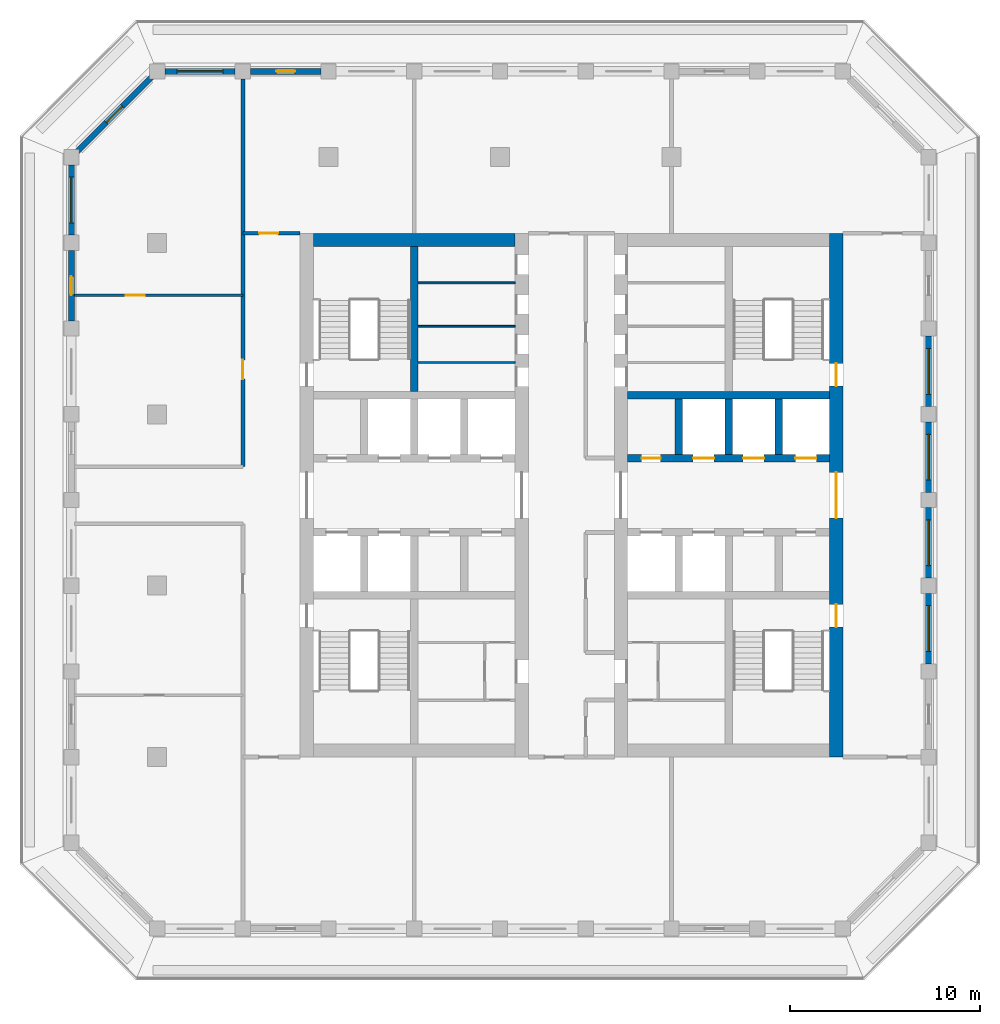
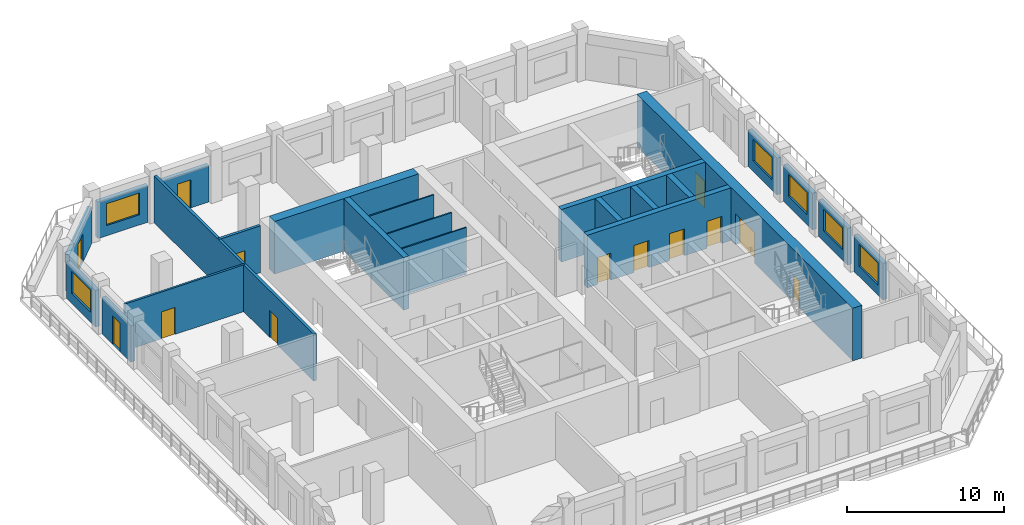
# One storey, part 5 of 14: 23 walls, 13 doors, 6 windows, 19 openings.
"""IFC4 building model written with IfcOpenShell, lengths in metres."""

from ifc_helpers import new_model, si_unit, direction, frame, frame_2d, origin, place, context, subcontext, project, spatial, rectangle, extrude, material, layer, layer_set, type_object, element, fill, save


model = new_model("IFC4")

# Units and contexts
model_context = context("Model", 3, precision=1e-05, world=origin(), true_north=direction((0.0, 1.0)))
body_context = subcontext(model_context, "Body", "Model", "MODEL_VIEW")
ifc_project = project(units=[si_unit("LENGTHUNIT", "METRE"), si_unit("AREAUNIT", "SQUARE_METRE"), si_unit("VOLUMEUNIT", "CUBIC_METRE"), si_unit("PLANEANGLEUNIT", "RADIAN"), si_unit("MASSUNIT", "GRAM", prefix="KILO")], contexts=[model_context])

# Site, building, storey
site_placement = place(None, origin())
site = spatial("IfcSite", under=ifc_project, at=site_placement, CompositionType="ELEMENT")
building_placement = place(site_placement, origin())
building = spatial("IfcBuilding", under=site, at=building_placement, Name="Corbel Stack Research Tower", CompositionType="ELEMENT")
storey_placement = place(building_placement, frame((0.0, 0.0, 278.60009765625)))
storey = spatial("IfcBuildingStorey", under=building, at=storey_placement, Name="L63", CompositionType="ELEMENT", Elevation=278.60009765625)

# Wall
ifc_material_1 = material(Name="Concrete C60/75", Category="concrete")
ifc_layer_1 = layer(ifc_material_1, 0.39990234375)
ifc_layer_set_1 = layer_set([ifc_layer_1], Name="Concrete C60/75")
wall_type_1 = type_object("IfcWallType", Name="CW-400-60", PredefinedType="SHEAR", material=ifc_layer_set_1)
wall_1_placement = place(storey_placement, frame((-4.5, 10.199951171875, 0.0), z_axis=(0.0, 0.0, 1.0), x_axis=(0.0, 1.0, 0.0)))
element("IfcWall", 1, at=wall_1_placement, inside=storey, type_object=wall_type_1, Name="West core wall, north stair and riser L63", PredefinedType="SHEAR", context=body_context, shape_type="SweptSolid", body=[
    extrude(rectangle(XDim=7.60009765625, YDim=0.39990234375, at=frame_2d((3.800048828125, 0.0))), origin(), (0.0, 0.0, 1.0), 4.099853515625),
])

# Wall, openings, doors
wall_2_placement = place(storey_placement, frame((6.699951171875, 6.699951171875, 0.0), z_axis=(0.0, 0.0, 1.0), x_axis=(1.0, 0.0, 0.0)))
wall_2 = element("IfcWall", 2, at=wall_2_placement, inside=storey, type_object=wall_type_1, Name="East core wall, lobby north L63", PredefinedType="SHEAR", context=body_context, shape_type="SweptSolid", body=[
    extrude(rectangle(XDim=10.60009765625, YDim=0.39990234375, at=frame_2d((5.300048828125, 0.0))), origin(), (0.0, 0.0, 1.0), 4.099853515625),
])
opening_1_placement = place(wall_2_placement, frame((3.4375, 0.0, 0.0)))
opening_1 = element("IfcOpeningElement", 3, at=opening_1_placement, cuts=wall_2, Name="Opening LD-HR4", PredefinedType="OPENING", context=body_context, shape_type="SweptSolid", body=[
    extrude(rectangle(XDim=1.10009765625, YDim=2.10009765625, at=frame_2d((0.550048828125, 1.050048828125))), frame((0.0, 0.2099609375, 0.0), z_axis=(0.0, -1.0, 0.0), x_axis=(1.0, 0.0, 0.0)), (0.0, 0.0, 1.0), 0.419921875),
])
opening_2_placement = place(wall_2_placement, frame((6.0625, 0.0, 0.0)))
opening_2 = element("IfcOpeningElement", 4, at=opening_2_placement, cuts=wall_2, Name="Opening LD-HR5", PredefinedType="OPENING", context=body_context, shape_type="SweptSolid", body=[
    extrude(rectangle(XDim=1.10009765625, YDim=2.10009765625, at=frame_2d((0.550048828125, 1.050048828125))), frame((0.0, 0.2099609375, 0.0), z_axis=(0.0, -1.0, 0.0), x_axis=(1.0, 0.0, 0.0)), (0.0, 0.0, 1.0), 0.419921875),
])
opening_3_placement = place(wall_2_placement, frame((8.8125, 0.0, 0.0)))
opening_3 = element("IfcOpeningElement", 5, at=opening_3_placement, cuts=wall_2, Name="Opening LD-HR6", PredefinedType="OPENING", context=body_context, shape_type="SweptSolid", body=[
    extrude(rectangle(XDim=1.10009765625, YDim=2.10009765625, at=frame_2d((0.550048828125, 1.050048828125))), frame((0.0, 0.2099609375, 0.0), z_axis=(0.0, -1.0, 0.0), x_axis=(1.0, 0.0, 0.0)), (0.0, 0.0, 1.0), 0.419921875),
])
opening_4_placement = place(wall_2_placement, frame((0.737548828125, 0.0, 0.0)))
opening_4 = element("IfcOpeningElement", 6, at=opening_4_placement, cuts=wall_2, Name="Opening CR-E36-N1", PredefinedType="OPENING", context=body_context, shape_type="SweptSolid", body=[
    extrude(rectangle(XDim=1.0, YDim=2.10009765625, at=frame_2d((0.5, 1.050048828125))), frame((0.0, 0.2099609375, 0.0), z_axis=(0.0, -1.0, 0.0), x_axis=(1.0, 0.0, 0.0)), (0.0, 0.0, 1.0), 0.419921875),
])
ifc_material_2 = material(Name="Stainless steel landing door", Category="steel")
door_type_1 = type_object("IfcDoorType", Name="Lift landing door 1100 x 2100", OperationType="DOUBLE_DOOR_SLIDING", PredefinedType="DOOR", material=ifc_material_2)
door_1_placement = place(opening_1_placement, origin())
door_1 = element("IfcDoor", 7, at=door_1_placement, inside=storey, type_object=door_type_1, Name="Landing door HR4", OperationType="DOUBLE_DOOR_SLIDING", OverallHeight=2.10009765625, OverallWidth=1.10009765625, PredefinedType="DOOR", context=body_context, shape_type="SweptSolid", body=[
    extrude(rectangle(XDim=1.10009765625, YDim=2.10009765625, at=frame_2d((0.550048828125, 1.050048828125))), frame((0.0, 0.02490234375, 0.0), z_axis=(0.0, -1.0, 0.0), x_axis=(1.0, 0.0, 0.0)), (0.0, 0.0, 1.0), 0.050048828125),
])
fill(opening_1, door_1)
door_2_placement = place(opening_2_placement, origin())
door_2 = element("IfcDoor", 8, at=door_2_placement, inside=storey, type_object=door_type_1, Name="Landing door HR5", OperationType="DOUBLE_DOOR_SLIDING", OverallHeight=2.10009765625, OverallWidth=1.10009765625, PredefinedType="DOOR", context=body_context, shape_type="SweptSolid", body=[
    extrude(rectangle(XDim=1.10009765625, YDim=2.10009765625, at=frame_2d((0.550048828125, 1.050048828125))), frame((0.0, 0.02490234375, 0.0), z_axis=(0.0, -1.0, 0.0), x_axis=(1.0, 0.0, 0.0)), (0.0, 0.0, 1.0), 0.050048828125),
])
fill(opening_2, door_2)
door_3_placement = place(opening_3_placement, origin())
door_3 = element("IfcDoor", 9, at=door_3_placement, inside=storey, type_object=door_type_1, Name="Landing door HR6", OperationType="DOUBLE_DOOR_SLIDING", OverallHeight=2.10009765625, OverallWidth=1.10009765625, PredefinedType="DOOR", context=body_context, shape_type="SweptSolid", body=[
    extrude(rectangle(XDim=1.10009765625, YDim=2.10009765625, at=frame_2d((0.550048828125, 1.050048828125))), frame((0.0, 0.02490234375, 0.0), z_axis=(0.0, -1.0, 0.0), x_axis=(1.0, 0.0, 0.0)), (0.0, 0.0, 1.0), 0.050048828125),
])
fill(opening_3, door_3)
ifc_material_3 = material(Name="Painted steel door", Category="steel")
door_type_2 = type_object("IfcDoorType", Name="Service door 1000 x 2100 FD60 left hand", OperationType="SINGLE_SWING_LEFT", PredefinedType="DOOR", material=ifc_material_3)
door_4_placement = place(opening_4_placement, origin())
door_4 = element("IfcDoor", 10, at=door_4_placement, inside=storey, type_object=door_type_2, Name="Copy and supply store door E core", OperationType="SINGLE_SWING_LEFT", OverallHeight=2.10009765625, OverallWidth=1.0, PredefinedType="DOOR", context=body_context, shape_type="SweptSolid", body=[
    extrude(rectangle(XDim=1.0, YDim=2.10009765625, at=frame_2d((0.5, 1.050048828125))), frame((0.0, 0.02490234375, 0.0), z_axis=(0.0, -1.0, 0.0), x_axis=(1.0, 0.0, 0.0)), (0.0, 0.0, 1.0), 0.050048828125),
])
fill(opening_4, door_4)

# Walls
wall_3_placement = place(storey_placement, frame((6.699951171875, 10.0, 0.0), z_axis=(0.0, 0.0, 1.0), x_axis=(1.0, 0.0, 0.0)))
element("IfcWall", 11, at=wall_3_placement, inside=storey, type_object=wall_type_1, Name="East core wall, north row back L63", PredefinedType="SHEAR", context=body_context, shape_type="SweptSolid", body=[
    extrude(rectangle(XDim=10.60009765625, YDim=0.39990234375, at=frame_2d((5.300048828125, 0.0))), origin(), (0.0, 0.0, 1.0), 4.099853515625),
])
for number, where, z_axis, x_axis, name in (
    (12, (9.375, 6.89990234375, 0.0), (0.0, 0.0, 1.0), (0.0, 1.0, 0.0), "East core wall, north shaft 1 L63"),
    (13, (12.0, 6.89990234375, 0.0), (0.0, 0.0, 1.0), (0.0, 1.0, 0.0), "East core wall, north shaft 2 L63"),
    (14, (14.625, 6.89990234375, 0.0), (0.0, 0.0, 1.0), (0.0, 1.0, 0.0), "East core wall, north shaft 3 L63"),
):
    element("IfcWall", number, at=place(storey_placement, frame(where, z_axis=z_axis, x_axis=x_axis)), inside=storey, type_object=wall_type_1, Name=name, PredefinedType="SHEAR", context=body_context, shape_type="SweptSolid", body=[
        extrude(rectangle(XDim=2.900146484375, YDim=0.39990234375, at=frame_2d((1.4501953125, 0.0))), origin(), (0.0, 0.0, 1.0), 4.099853515625),
    ])
ifc_material_4 = material(Name="Concrete C60/75", Category="concrete")
ifc_layer_2 = layer(ifc_material_4, 0.699951171875)
ifc_layer_set_2 = layer_set([ifc_layer_2], Name="Concrete C60/75")
wall_type_2 = type_object("IfcWallType", Name="CW-700-60", PredefinedType="SHEAR", material=ifc_layer_set_2)
wall_4_placement = place(storey_placement, frame((-9.800048828125, 18.14990234375, 0.0), z_axis=(0.0, 0.0, 1.0), x_axis=(1.0, 0.0, 0.0)))
element("IfcWall", 15, at=wall_4_placement, inside=storey, type_object=wall_type_2, Name="West core wall, north end L63", PredefinedType="SHEAR", context=body_context, shape_type="SweptSolid", body=[
    extrude(rectangle(XDim=10.60009765625, YDim=0.699951171875, at=frame_2d((5.300048828125, 0.0))), origin(), (0.0, 0.0, 1.0), 4.099853515625),
])

# Wall, openings, doors
wall_5_placement = place(storey_placement, frame((17.64990234375, -9.0, 0.0), z_axis=(0.0, 0.0, 1.0), x_axis=(0.0, 1.0, 0.0)))
wall_5 = element("IfcWall", 16, at=wall_5_placement, inside=storey, type_object=wall_type_2, Name="East core wall, east face L63", PredefinedType="SHEAR", context=body_context, shape_type="SweptSolid", body=[
    extrude(rectangle(XDim=27.5, YDim=0.699951171875, at=frame_2d((13.75, 0.0))), origin(), (0.0, 0.0, 1.0), 4.099853515625),
])
opening_5_placement = place(wall_5_placement, frame((12.550048828125, 0.0, 0.0)))
opening_5 = element("IfcOpeningElement", 17, at=opening_5_placement, cuts=wall_5, Name="Opening CD-E-E", PredefinedType="OPENING", context=body_context, shape_type="SweptSolid", body=[
    extrude(rectangle(XDim=2.39990234375, YDim=2.39990234375, at=frame_2d((1.199951171875, 1.199951171875))), frame((0.0, 0.35986328125, 0.0), z_axis=(0.0, -1.0, 0.0), x_axis=(1.0, 0.0, 0.0)), (0.0, 0.0, 1.0), 0.719970703125),
])
opening_6_placement = place(wall_5_placement, frame((6.824951171875, 0.0, 0.0)))
opening_6 = element("IfcOpeningElement", 18, at=opening_6_placement, cuts=wall_5, Name="Opening SD-ST-E1", PredefinedType="OPENING", context=body_context, shape_type="SweptSolid", body=[
    extrude(rectangle(XDim=1.199951171875, YDim=2.10009765625, at=frame_2d((0.60009765625, 1.050048828125))), frame((0.0, 0.35986328125, 0.0), z_axis=(0.0, -1.0, 0.0), x_axis=(1.0, 0.0, 0.0)), (0.0, 0.0, 1.0), 0.719970703125),
])
opening_7_placement = place(wall_5_placement, frame((19.47509765625, 0.0, 0.0)))
opening_7 = element("IfcOpeningElement", 19, at=opening_7_placement, cuts=wall_5, Name="Opening SD-ST-E2", PredefinedType="OPENING", context=body_context, shape_type="SweptSolid", body=[
    extrude(rectangle(XDim=1.199951171875, YDim=2.10009765625, at=frame_2d((0.60009765625, 1.050048828125))), frame((0.0, 0.35986328125, 0.0), z_axis=(0.0, -1.0, 0.0), x_axis=(1.0, 0.0, 0.0)), (0.0, 0.0, 1.0), 0.719970703125),
])
ifc_material_5 = material(Name="Painted steel fire door", Category="steel")
door_type_3 = type_object("IfcDoorType", Name="Lobby door pair 2400 x 2400 FD30S", OperationType="DOUBLE_DOOR_DOUBLE_SWING", PredefinedType="DOOR", material=ifc_material_5)
door_5_placement = place(opening_5_placement, origin())
door_5 = element("IfcDoor", 20, at=door_5_placement, inside=storey, type_object=door_type_3, Name="Lift lobby door E core E", OperationType="DOUBLE_DOOR_DOUBLE_SWING", OverallHeight=2.39990234375, OverallWidth=2.39990234375, PredefinedType="DOOR", context=body_context, shape_type="SweptSolid", body=[
    extrude(rectangle(XDim=2.39990234375, YDim=2.39990234375, at=frame_2d((1.199951171875, 1.199951171875))), frame((0.0, 0.02490234375, 0.0), z_axis=(0.0, -1.0, 0.0), x_axis=(1.0, 0.0, 0.0)), (0.0, 0.0, 1.0), 0.050048828125),
])
fill(opening_5, door_5)
ifc_material_6 = material(Name="Painted steel fire door", Category="steel")
door_type_4 = type_object("IfcDoorType", Name="Stair door 1200 x 2100 FD90 right hand", OperationType="SINGLE_SWING_RIGHT", PredefinedType="DOOR", material=ifc_material_6)
door_6_placement = place(opening_6_placement, frame((1.199951171875, 0.0, 0.0), z_axis=(0.0, 0.0, 1.0), x_axis=(-1.0, 0.0, 0.0)))
door_6 = element("IfcDoor", 21, at=door_6_placement, inside=storey, type_object=door_type_4, Name="Stair door ST-E1", OperationType="SINGLE_SWING_LEFT", OverallHeight=2.10009765625, OverallWidth=1.199951171875, PredefinedType="DOOR", context=body_context, shape_type="SweptSolid", body=[
    extrude(rectangle(XDim=1.199951171875, YDim=2.10009765625, at=frame_2d((0.60009765625, 1.050048828125))), frame((0.0, 0.02490234375, 0.0), z_axis=(0.0, -1.0, 0.0), x_axis=(1.0, 0.0, 0.0)), (0.0, 0.0, 1.0), 0.050048828125),
])
fill(opening_6, door_6)
door_7_placement = place(opening_7_placement, frame((1.199951171875, 0.0, 0.0), z_axis=(0.0, 0.0, 1.0), x_axis=(-1.0, 0.0, 0.0)))
door_7 = element("IfcDoor", 22, at=door_7_placement, inside=storey, type_object=door_type_4, Name="Stair door ST-E2", OperationType="SINGLE_SWING_LEFT", OverallHeight=2.10009765625, OverallWidth=1.199951171875, PredefinedType="DOOR", context=body_context, shape_type="SweptSolid", body=[
    extrude(rectangle(XDim=1.199951171875, YDim=2.10009765625, at=frame_2d((0.60009765625, 1.050048828125))), frame((0.0, 0.02490234375, 0.0), z_axis=(0.0, -1.0, 0.0), x_axis=(1.0, 0.0, 0.0)), (0.0, 0.0, 1.0), 0.050048828125),
])
fill(opening_7, door_7)

# Walls
ifc_material_7 = material(Name="Gypsum board")
ifc_layer_3 = layer(ifc_material_7, 0.10009765625)
ifc_layer_set_3 = layer_set([ifc_layer_3], Name="Gypsum board")
wall_type_3 = type_object("IfcWallType", Name="Core partition 100", PredefinedType="PARTITIONING", material=ifc_layer_set_3)
for number, where, z_axis, x_axis, name in (
    (23, (-4.300048828125, 11.719970703125, 0.0), (0.0, 0.0, 1.0), (1.0, 0.0, 0.0), "Core partition W"),
    (24, (-4.300048828125, 13.6201171875, 0.0), (0.0, 0.0, 1.0), (1.0, 0.0, 0.0), "Core partition W"),
    (25, (-4.300048828125, 15.89990234375, 0.0), (0.0, 0.0, 1.0), (1.0, 0.0, 0.0), "Core partition W"),
):
    element("IfcWall", number, at=place(storey_placement, frame(where, z_axis=z_axis, x_axis=x_axis)), inside=storey, type_object=wall_type_3, Name=name, PredefinedType="PARTITIONING", context=body_context, shape_type="SweptSolid", body=[
        extrude(rectangle(XDim=5.10009765625, YDim=0.10009765625, at=frame_2d((2.550048828125, 0.0))), origin(), (0.0, 0.0, 1.0), 3.64990234375),
    ])

# Wall, opening, door
ifc_material_8 = material(Name="Fire-rated gypsum board partition on steel studs", Category="steel")
ifc_layer_4 = layer(ifc_material_8, 0.199951171875)
ifc_layer_set_4 = layer_set([ifc_layer_4], Name="Fire-rated gypsum board partition on steel studs")
wall_type_4 = type_object("IfcWallType", Name="Fire-rated partition 200 EI 60", PredefinedType="PARTITIONING", material=ifc_layer_set_4)
wall_6_placement = place(storey_placement, frame((-13.5, 6.25, 0.0), z_axis=(0.0, 0.0, 1.0), x_axis=(0.0, 1.0, 0.0)))
wall_6 = element("IfcWall", 26, at=wall_6_placement, inside=storey, type_object=wall_type_4, Name="Partition L63-002", PredefinedType="PARTITIONING", context=body_context, shape_type="SweptSolid", body=[
    extrude(rectangle(XDim=20.35009765625, YDim=0.199951171875, at=frame_2d((10.175048828125, 0.0))), origin(), (0.0, 0.0, 1.0), 3.64990234375),
])
opening_8_placement = place(wall_6_placement, frame((4.60009765625, 0.0, 0.0)))
opening_8 = element("IfcOpeningElement", 27, at=opening_8_placement, cuts=wall_6, Name="Opening B8V1-002", PredefinedType="OPENING", context=body_context, shape_type="SweptSolid", body=[
    extrude(rectangle(XDim=1.0, YDim=2.10009765625, at=frame_2d((0.5, 1.050048828125))), frame((0.0, 0.10986328125, 0.0), z_axis=(0.0, -1.0, 0.0), x_axis=(1.0, 0.0, 0.0)), (0.0, 0.0, 1.0), 0.219970703125),
])
ifc_material_9 = material(Name="Painted steel fire door", Category="steel")
door_type_5 = type_object("IfcDoorType", Name="Fire door FD30S 1000 x 2100", OperationType="NOTDEFINED", PredefinedType="DOOR", material=ifc_material_9)
door_8_placement = place(opening_8_placement, origin())
door_8 = element("IfcDoor", 28, at=door_8_placement, inside=storey, type_object=door_type_5, Name="Door B8V1-002", OperationType="SINGLE_SWING_LEFT", OverallHeight=2.10009765625, OverallWidth=1.0, PredefinedType="DOOR", context=body_context, shape_type="SweptSolid", body=[
    extrude(rectangle(XDim=1.0, YDim=2.10009765625, at=frame_2d((0.5, 1.050048828125))), frame((0.0, 0.02490234375, 0.0), z_axis=(0.0, -1.0, 0.0), x_axis=(1.0, 0.0, 0.0)), (0.0, 0.0, 1.0), 0.050048828125),
])
fill(opening_8, door_8)

wall_7_placement = place(storey_placement, frame((-13.5, 18.5, 0.0), z_axis=(0.0, 0.0, 1.0), x_axis=(1.0, 0.0, 0.0)))
wall_7 = element("IfcWall", 29, at=wall_7_placement, inside=storey, type_object=wall_type_4, Name="Partition L63-022", PredefinedType="PARTITIONING", context=body_context, shape_type="SweptSolid", body=[
    extrude(rectangle(XDim=3.0, YDim=0.199951171875, at=frame_2d((1.5, 0.0))), origin(), (0.0, 0.0, 1.0), 3.64990234375),
])
opening_9_placement = place(wall_7_placement, frame((0.85009765625, 0.0, 0.0)))
opening_9 = element("IfcOpeningElement", 30, at=opening_9_placement, cuts=wall_7, Name="Opening B8V1-011", PredefinedType="OPENING", context=body_context, shape_type="SweptSolid", body=[
    extrude(rectangle(XDim=1.0, YDim=2.10009765625, at=frame_2d((0.5, 1.050048828125))), frame((0.0, 0.10986328125, 0.0), z_axis=(0.0, -1.0, 0.0), x_axis=(1.0, 0.0, 0.0)), (0.0, 0.0, 1.0), 0.219970703125),
])
door_9_placement = place(opening_9_placement, origin())
door_9 = element("IfcDoor", 31, at=door_9_placement, inside=storey, type_object=door_type_5, Name="Door B8V1-011", OperationType="SINGLE_SWING_LEFT", OverallHeight=2.10009765625, OverallWidth=1.0, PredefinedType="DOOR", context=body_context, shape_type="SweptSolid", body=[
    extrude(rectangle(XDim=1.0, YDim=2.10009765625, at=frame_2d((0.5, 1.050048828125))), frame((0.0, 0.02490234375, 0.0), z_axis=(0.0, -1.0, 0.0), x_axis=(1.0, 0.0, 0.0)), (0.0, 0.0, 1.0), 0.050048828125),
])
fill(opening_9, door_9)

ifc_material_10 = material(Name="Gypsum board partition on steel studs", Category="steel")
ifc_layer_5 = layer(ifc_material_10, 0.14990234375)
ifc_layer_set_5 = layer_set([ifc_layer_5], Name="Gypsum board partition on steel studs")
wall_type_5 = type_object("IfcWallType", Name="Partition 150", PredefinedType="PARTITIONING", material=ifc_layer_set_5)
wall_8_placement = place(storey_placement, frame((-22.35009765625, 15.25, 0.0), z_axis=(0.0, 0.0, 1.0), x_axis=(1.0, 0.0, 0.0)))
wall_8 = element("IfcWall", 32, at=wall_8_placement, inside=storey, type_object=wall_type_5, Name="Partition L63-021", PredefinedType="PARTITIONING", context=body_context, shape_type="SweptSolid", body=[
    extrude(rectangle(XDim=8.85009765625, YDim=0.14990234375, at=frame_2d((4.425048828125, 0.0))), origin(), (0.0, 0.0, 1.0), 3.64990234375),
])
opening_10_placement = place(wall_8_placement, frame((2.699951171875, 0.0, 0.0)))
opening_10 = element("IfcOpeningElement", 33, at=opening_10_placement, cuts=wall_8, Name="Opening B8V1-010", PredefinedType="OPENING", context=body_context, shape_type="SweptSolid", body=[
    extrude(rectangle(XDim=1.0, YDim=2.10009765625, at=frame_2d((0.5, 1.050048828125))), frame((0.0, 0.0849609375, 0.0), z_axis=(0.0, -1.0, 0.0), x_axis=(1.0, 0.0, 0.0)), (0.0, 0.0, 1.0), 0.169921875),
])
ifc_material_11 = material(Name="Painted timber door", Category="wood")
door_type_6 = type_object("IfcDoorType", Name="Single door 1000 x 2100", OperationType="NOTDEFINED", PredefinedType="DOOR", material=ifc_material_11)
door_10_placement = place(opening_10_placement, origin())
door_10 = element("IfcDoor", 34, at=door_10_placement, inside=storey, type_object=door_type_6, Name="Door B8V1-010", OperationType="SINGLE_SWING_LEFT", OverallHeight=2.10009765625, OverallWidth=1.0, PredefinedType="DOOR", context=body_context, shape_type="SweptSolid", body=[
    extrude(rectangle(XDim=1.0, YDim=2.10009765625, at=frame_2d((0.5, 1.050048828125))), frame((0.0, 0.02490234375, 0.0), z_axis=(0.0, -1.0, 0.0), x_axis=(1.0, 0.0, 0.0)), (0.0, 0.0, 1.0), 0.050048828125),
])
fill(opening_10, door_10)

# Wall, opening, window
ifc_material_12 = material(Name="Concrete C45/55", Category="concrete")
ifc_layer_6 = layer(ifc_material_12, 0.300048828125)
ifc_layer_set_6 = layer_set([ifc_layer_6], Name="Concrete C45/55")
wall_type_6 = type_object("IfcWallType", Name="Terracotta-faced concrete wall 300", PredefinedType="SOLIDWALL", material=ifc_layer_set_6)
wall_9_placement = place(storey_placement, frame((22.5, -0.39990234375, 0.0), z_axis=(0.0, 0.0, 1.0), x_axis=(0.0, -1.0, 0.0)))
wall_9 = element("IfcWall", 35, at=wall_9_placement, inside=storey, type_object=wall_type_6, Name="Facade wall L63 E03", PredefinedType="SOLIDWALL", context=body_context, shape_type="SweptSolid", body=[
    extrude(rectangle(XDim=3.7001953125, YDim=0.300048828125, at=frame_2d((1.85009765625, 0.0))), origin(), (0.0, 0.0, 1.0), 2.849853515625),
])
opening_11_placement = place(wall_9_placement, frame((0.64990234375, 0.0, 0.800048828125)))
opening_11 = element("IfcOpeningElement", 36, at=opening_11_placement, cuts=wall_9, Name="Opening W1", PredefinedType="OPENING", context=body_context, shape_type="SweptSolid", body=[
    extrude(rectangle(XDim=2.39990234375, YDim=1.699951171875, at=frame_2d((1.199951171875, 0.85009765625))), frame((0.0, 0.159912109375, 0.0), z_axis=(0.0, -1.0, 0.0), x_axis=(1.0, 0.0, 0.0)), (0.0, 0.0, 1.0), 0.320068359375),
])
ifc_material_13 = material(Name="Aluminium frame, clear double glazing", Category="aluminium")
window_type = type_object("IfcWindowType", Name="Window W1 2400 x 1700", PartitioningType="SINGLE_PANEL", PredefinedType="WINDOW", material=ifc_material_13)
window_1_placement = place(opening_11_placement, origin())
window_1 = element("IfcWindow", 37, at=window_1_placement, inside=storey, type_object=window_type, Name="Window W1 L63 E03", OverallHeight=1.699951171875, OverallWidth=2.39990234375, PartitioningType="SINGLE_PANEL", PredefinedType="WINDOW", context=body_context, shape_type="SweptSolid", body=[
    extrude(rectangle(XDim=2.39990234375, YDim=1.699951171875, at=frame_2d((1.199951171875, 0.85009765625))), frame((0.0, 0.030029296875, 0.0), z_axis=(0.0, -1.0, 0.0), x_axis=(1.0, 0.0, 0.0)), (0.0, 0.0, 1.0), 0.06005859375),
])
fill(opening_11, window_1)

wall_10_placement = place(storey_placement, frame((22.5, 4.10009765625, 0.0), z_axis=(0.0, 0.0, 1.0), x_axis=(0.0, -1.0, 0.0)))
wall_10 = element("IfcWall", 38, at=wall_10_placement, inside=storey, type_object=wall_type_6, Name="Facade wall L63 E04", PredefinedType="SOLIDWALL", context=body_context, shape_type="SweptSolid", body=[
    extrude(rectangle(XDim=3.7001953125, YDim=0.300048828125, at=frame_2d((1.85009765625, 0.0))), origin(), (0.0, 0.0, 1.0), 2.849853515625),
])
opening_12_placement = place(wall_10_placement, frame((0.64990234375, 0.0, 0.800048828125)))
opening_12 = element("IfcOpeningElement", 39, at=opening_12_placement, cuts=wall_10, Name="Opening W1", PredefinedType="OPENING", context=body_context, shape_type="SweptSolid", body=[
    extrude(rectangle(XDim=2.39990234375, YDim=1.699951171875, at=frame_2d((1.199951171875, 0.85009765625))), frame((0.0, 0.159912109375, 0.0), z_axis=(0.0, -1.0, 0.0), x_axis=(1.0, 0.0, 0.0)), (0.0, 0.0, 1.0), 0.320068359375),
])
window_2_placement = place(opening_12_placement, origin())
window_2 = element("IfcWindow", 40, at=window_2_placement, inside=storey, type_object=window_type, Name="Window W1 L63 E04", OverallHeight=1.699951171875, OverallWidth=2.39990234375, PartitioningType="SINGLE_PANEL", PredefinedType="WINDOW", context=body_context, shape_type="SweptSolid", body=[
    extrude(rectangle(XDim=2.39990234375, YDim=1.699951171875, at=frame_2d((1.199951171875, 0.85009765625))), frame((0.0, 0.030029296875, 0.0), z_axis=(0.0, -1.0, 0.0), x_axis=(1.0, 0.0, 0.0)), (0.0, 0.0, 1.0), 0.06005859375),
])
fill(opening_12, window_2)

wall_11_placement = place(storey_placement, frame((22.5, 8.60009765625, 0.0), z_axis=(0.0, 0.0, 1.0), x_axis=(0.0, -1.0, 0.0)))
wall_11 = element("IfcWall", 41, at=wall_11_placement, inside=storey, type_object=wall_type_6, Name="Facade wall L63 E05", PredefinedType="SOLIDWALL", context=body_context, shape_type="SweptSolid", body=[
    extrude(rectangle(XDim=3.7001953125, YDim=0.300048828125, at=frame_2d((1.85009765625, 0.0))), origin(), (0.0, 0.0, 1.0), 2.849853515625),
])
opening_13_placement = place(wall_11_placement, frame((0.64990234375, 0.0, 0.800048828125)))
opening_13 = element("IfcOpeningElement", 42, at=opening_13_placement, cuts=wall_11, Name="Opening W1", PredefinedType="OPENING", context=body_context, shape_type="SweptSolid", body=[
    extrude(rectangle(XDim=2.39990234375, YDim=1.699951171875, at=frame_2d((1.199951171875, 0.85009765625))), frame((0.0, 0.159912109375, 0.0), z_axis=(0.0, -1.0, 0.0), x_axis=(1.0, 0.0, 0.0)), (0.0, 0.0, 1.0), 0.320068359375),
])
window_3_placement = place(opening_13_placement, origin())
window_3 = element("IfcWindow", 43, at=window_3_placement, inside=storey, type_object=window_type, Name="Window W1 L63 E05", OverallHeight=1.699951171875, OverallWidth=2.39990234375, PartitioningType="SINGLE_PANEL", PredefinedType="WINDOW", context=body_context, shape_type="SweptSolid", body=[
    extrude(rectangle(XDim=2.39990234375, YDim=1.699951171875, at=frame_2d((1.199951171875, 0.85009765625))), frame((0.0, 0.030029296875, 0.0), z_axis=(0.0, -1.0, 0.0), x_axis=(1.0, 0.0, 0.0)), (0.0, 0.0, 1.0), 0.06005859375),
])
fill(opening_13, window_3)

wall_12_placement = place(storey_placement, frame((22.5, 13.10009765625, 0.0), z_axis=(0.0, 0.0, 1.0), x_axis=(0.0, -1.0, 0.0)))
wall_12 = element("IfcWall", 44, at=wall_12_placement, inside=storey, type_object=wall_type_6, Name="Facade wall L63 E06", PredefinedType="SOLIDWALL", context=body_context, shape_type="SweptSolid", body=[
    extrude(rectangle(XDim=3.7001953125, YDim=0.300048828125, at=frame_2d((1.85009765625, 0.0))), origin(), (0.0, 0.0, 1.0), 2.849853515625),
])
opening_14_placement = place(wall_12_placement, frame((0.64990234375, 0.0, 0.800048828125)))
opening_14 = element("IfcOpeningElement", 45, at=opening_14_placement, cuts=wall_12, Name="Opening W1", PredefinedType="OPENING", context=body_context, shape_type="SweptSolid", body=[
    extrude(rectangle(XDim=2.39990234375, YDim=1.699951171875, at=frame_2d((1.199951171875, 0.85009765625))), frame((0.0, 0.159912109375, 0.0), z_axis=(0.0, -1.0, 0.0), x_axis=(1.0, 0.0, 0.0)), (0.0, 0.0, 1.0), 0.320068359375),
])
window_4_placement = place(opening_14_placement, origin())
window_4 = element("IfcWindow", 46, at=window_4_placement, inside=storey, type_object=window_type, Name="Window W1 L63 E06", OverallHeight=1.699951171875, OverallWidth=2.39990234375, PartitioningType="SINGLE_PANEL", PredefinedType="WINDOW", context=body_context, shape_type="SweptSolid", body=[
    extrude(rectangle(XDim=2.39990234375, YDim=1.699951171875, at=frame_2d((1.199951171875, 0.85009765625))), frame((0.0, 0.030029296875, 0.0), z_axis=(0.0, -1.0, 0.0), x_axis=(1.0, 0.0, 0.0)), (0.0, 0.0, 1.0), 0.06005859375),
])
fill(opening_14, window_4)

# Wall, opening, door
wall_13_placement = place(storey_placement, frame((-13.10009765625, 27.0, 0.0), z_axis=(0.0, 0.0, 1.0), x_axis=(1.0, 0.0, 0.0)))
wall_13 = element("IfcWall", 47, at=wall_13_placement, inside=storey, type_object=wall_type_6, Name="Facade wall L63 N07", PredefinedType="SOLIDWALL", context=body_context, shape_type="SweptSolid", body=[
    extrude(rectangle(XDim=3.7001953125, YDim=0.300048828125, at=frame_2d((1.85009765625, 0.0))), origin(), (0.0, 0.0, 1.0), 2.849853515625),
])
opening_15_placement = place(wall_13_placement, frame((1.35009765625, 0.0, 0.0)))
opening_15 = element("IfcOpeningElement", 48, at=opening_15_placement, cuts=wall_13, Name="Opening L63-B08", PredefinedType="OPENING", context=body_context, shape_type="SweptSolid", body=[
    extrude(rectangle(XDim=1.0, YDim=2.199951171875, at=frame_2d((0.5, 1.10009765625))), frame((0.0, 0.159912109375, 0.0), z_axis=(0.0, -1.0, 0.0), x_axis=(1.0, 0.0, 0.0)), (0.0, 0.0, 1.0), 0.320068359375),
])
ifc_material_14 = material(Name="Aluminium frame, clear double glazing", Category="aluminium")
door_type_7 = type_object("IfcDoorType", Name="Balcony door BD1 1000 x 2200", OperationType="NOTDEFINED", PredefinedType="DOOR", material=ifc_material_14)
door_11_placement = place(opening_15_placement, origin())
door_11 = element("IfcDoor", 49, at=door_11_placement, inside=storey, type_object=door_type_7, Name="Balcony door L63-B08", OperationType="SINGLE_SWING_RIGHT", OverallHeight=2.199951171875, OverallWidth=1.0, PredefinedType="DOOR", context=body_context, shape_type="SweptSolid", body=[
    extrude(rectangle(XDim=1.0, YDim=2.199951171875, at=frame_2d((0.5, 1.10009765625))), frame((0.0, 0.02490234375, 0.0), z_axis=(0.0, -1.0, 0.0), x_axis=(1.0, 0.0, 0.0)), (0.0, 0.0, 1.0), 0.050048828125),
])
fill(opening_15, door_11)

# Wall, opening, window
wall_14_placement = place(storey_placement, frame((-17.60009765625, 27.0, 0.0), z_axis=(0.0, 0.0, 1.0), x_axis=(1.0, 0.0, 0.0)))
wall_14 = element("IfcWall", 50, at=wall_14_placement, inside=storey, type_object=wall_type_6, Name="Facade wall L63 N08", PredefinedType="SOLIDWALL", context=body_context, shape_type="SweptSolid", body=[
    extrude(rectangle(XDim=3.7001953125, YDim=0.300048828125, at=frame_2d((1.85009765625, 0.0))), origin(), (0.0, 0.0, 1.0), 2.849853515625),
])
opening_16_placement = place(wall_14_placement, frame((0.64990234375, 0.0, 0.800048828125)))
opening_16 = element("IfcOpeningElement", 51, at=opening_16_placement, cuts=wall_14, Name="Opening W1", PredefinedType="OPENING", context=body_context, shape_type="SweptSolid", body=[
    extrude(rectangle(XDim=2.39990234375, YDim=1.699951171875, at=frame_2d((1.199951171875, 0.85009765625))), frame((0.0, 0.159912109375, 0.0), z_axis=(0.0, -1.0, 0.0), x_axis=(1.0, 0.0, 0.0)), (0.0, 0.0, 1.0), 0.320068359375),
])
window_5_placement = place(opening_16_placement, origin())
window_5 = element("IfcWindow", 52, at=window_5_placement, inside=storey, type_object=window_type, Name="Window W1 L63 N08", OverallHeight=1.699951171875, OverallWidth=2.39990234375, PartitioningType="SINGLE_PANEL", PredefinedType="WINDOW", context=body_context, shape_type="SweptSolid", body=[
    extrude(rectangle(XDim=2.39990234375, YDim=1.699951171875, at=frame_2d((1.199951171875, 0.85009765625))), frame((0.0, 0.030029296875, 0.0), z_axis=(0.0, -1.0, 0.0), x_axis=(1.0, 0.0, 0.0)), (0.0, 0.0, 1.0), 0.06005859375),
])
fill(opening_16, window_5)

# Wall, opening, door
wall_15_placement = place(storey_placement, frame((-22.2060546875, 22.7939453125, 0.0), z_axis=(0.0, 0.0, 1.0), x_axis=(0.707106781187, 0.707106781187, 0.0)))
wall_15 = element("IfcWall", 53, at=wall_15_placement, inside=storey, type_object=wall_type_6, Name="Facade wall L63 NW01", PredefinedType="SOLIDWALL", context=body_context, shape_type="SweptSolid", body=[
    extrude(rectangle(XDim=5.532470703125, YDim=0.300048828125, at=frame_2d((2.76611328125, 0.0))), origin(), (0.0, 0.0, 1.0), 2.849853515625),
])
opening_17_placement = place(wall_15_placement, frame((2.166259765625, 0.0, 0.0)))
opening_17 = element("IfcOpeningElement", 54, at=opening_17_placement, cuts=wall_15, Name="Opening L63-B09", PredefinedType="OPENING", context=body_context, shape_type="SweptSolid", body=[
    extrude(rectangle(XDim=1.199951171875, YDim=2.199951171875, at=frame_2d((0.60009765625, 1.10009765625))), frame((0.0, 0.159912109375, 0.0), z_axis=(0.0, -1.0, 0.0), x_axis=(1.0, 0.0, 0.0)), (0.0, 0.0, 1.0), 0.320068359375),
])
ifc_material_15 = material(Name="Aluminium frame, clear double glazing", Category="aluminium")
door_type_8 = type_object("IfcDoorType", Name="Balcony door BD2 1200 x 2200", OperationType="NOTDEFINED", PredefinedType="DOOR", material=ifc_material_15)
door_12_placement = place(opening_17_placement, origin())
door_12 = element("IfcDoor", 55, at=door_12_placement, inside=storey, type_object=door_type_8, Name="Balcony door L63-B09", OperationType="SINGLE_SWING_RIGHT", OverallHeight=2.199951171875, OverallWidth=1.199951171875, PredefinedType="DOOR", context=body_context, shape_type="SweptSolid", body=[
    extrude(rectangle(XDim=1.199951171875, YDim=2.199951171875, at=frame_2d((0.60009765625, 1.10009765625))), frame((0.0, 0.02490234375, 0.0), z_axis=(0.0, -1.0, 0.0), x_axis=(1.0, 0.0, 0.0)), (0.0, 0.0, 1.0), 0.050048828125),
])
fill(opening_17, door_12)

# Wall, opening, window
wall_16_placement = place(storey_placement, frame((-22.5, 18.39990234375, 0.0), z_axis=(0.0, 0.0, 1.0), x_axis=(0.0, 1.0, 0.0)))
wall_16 = element("IfcWall", 56, at=wall_16_placement, inside=storey, type_object=wall_type_6, Name="Facade wall L63 W01", PredefinedType="SOLIDWALL", context=body_context, shape_type="SweptSolid", body=[
    extrude(rectangle(XDim=3.7001953125, YDim=0.300048828125, at=frame_2d((1.85009765625, 0.0))), origin(), (0.0, 0.0, 1.0), 2.849853515625),
])
opening_18_placement = place(wall_16_placement, frame((0.64990234375, 0.0, 0.800048828125)))
opening_18 = element("IfcOpeningElement", 57, at=opening_18_placement, cuts=wall_16, Name="Opening W1", PredefinedType="OPENING", context=body_context, shape_type="SweptSolid", body=[
    extrude(rectangle(XDim=2.39990234375, YDim=1.699951171875, at=frame_2d((1.199951171875, 0.85009765625))), frame((0.0, 0.159912109375, 0.0), z_axis=(0.0, -1.0, 0.0), x_axis=(1.0, 0.0, 0.0)), (0.0, 0.0, 1.0), 0.320068359375),
])
window_6_placement = place(opening_18_placement, origin())
window_6 = element("IfcWindow", 58, at=window_6_placement, inside=storey, type_object=window_type, Name="Window W1 L63 W01", OverallHeight=1.699951171875, OverallWidth=2.39990234375, PartitioningType="SINGLE_PANEL", PredefinedType="WINDOW", context=body_context, shape_type="SweptSolid", body=[
    extrude(rectangle(XDim=2.39990234375, YDim=1.699951171875, at=frame_2d((1.199951171875, 0.85009765625))), frame((0.0, 0.030029296875, 0.0), z_axis=(0.0, -1.0, 0.0), x_axis=(1.0, 0.0, 0.0)), (0.0, 0.0, 1.0), 0.06005859375),
])
fill(opening_18, window_6)

# Wall, opening, door
wall_17_placement = place(storey_placement, frame((-22.5, 13.89990234375, 0.0), z_axis=(0.0, 0.0, 1.0), x_axis=(0.0, 1.0, 0.0)))
wall_17 = element("IfcWall", 59, at=wall_17_placement, inside=storey, type_object=wall_type_6, Name="Facade wall L63 W02", PredefinedType="SOLIDWALL", context=body_context, shape_type="SweptSolid", body=[
    extrude(rectangle(XDim=3.7001953125, YDim=0.300048828125, at=frame_2d((1.85009765625, 0.0))), origin(), (0.0, 0.0, 1.0), 2.849853515625),
])
opening_19_placement = place(wall_17_placement, frame((1.35009765625, 0.0, 0.0)))
opening_19 = element("IfcOpeningElement", 60, at=opening_19_placement, cuts=wall_17, Name="Opening L63-B10", PredefinedType="OPENING", context=body_context, shape_type="SweptSolid", body=[
    extrude(rectangle(XDim=1.0, YDim=2.199951171875, at=frame_2d((0.5, 1.10009765625))), frame((0.0, 0.159912109375, 0.0), z_axis=(0.0, -1.0, 0.0), x_axis=(1.0, 0.0, 0.0)), (0.0, 0.0, 1.0), 0.320068359375),
])
door_13_placement = place(opening_19_placement, origin())
door_13 = element("IfcDoor", 61, at=door_13_placement, inside=storey, type_object=door_type_7, Name="Balcony door L63-B10", OperationType="SINGLE_SWING_LEFT", OverallHeight=2.199951171875, OverallWidth=1.0, PredefinedType="DOOR", context=body_context, shape_type="SweptSolid", body=[
    extrude(rectangle(XDim=1.0, YDim=2.199951171875, at=frame_2d((0.5, 1.10009765625))), frame((0.0, 0.02490234375, 0.0), z_axis=(0.0, -1.0, 0.0), x_axis=(1.0, 0.0, 0.0)), (0.0, 0.0, 1.0), 0.050048828125),
])
fill(opening_19, door_13)

save(model, "model.ifc")
